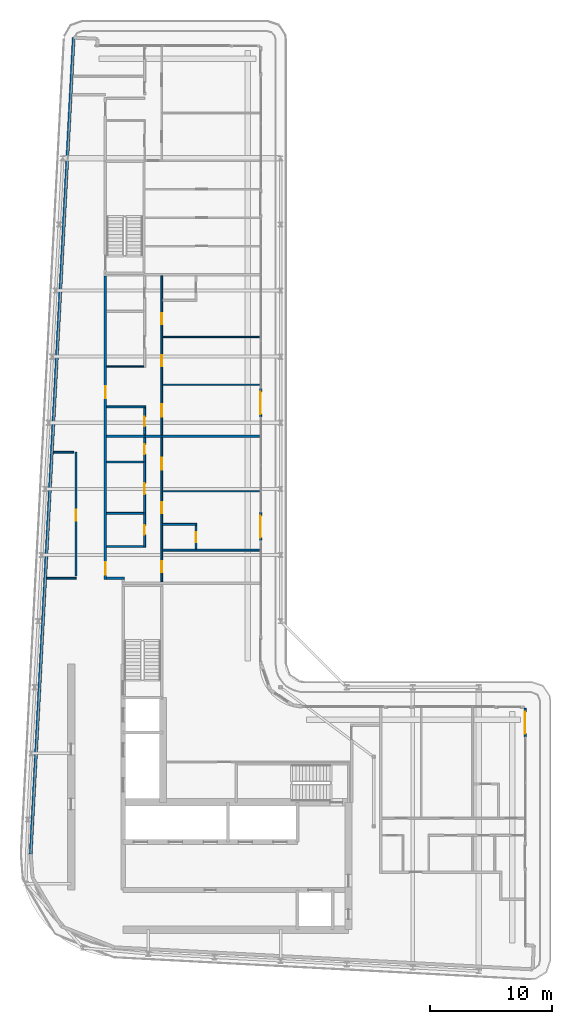
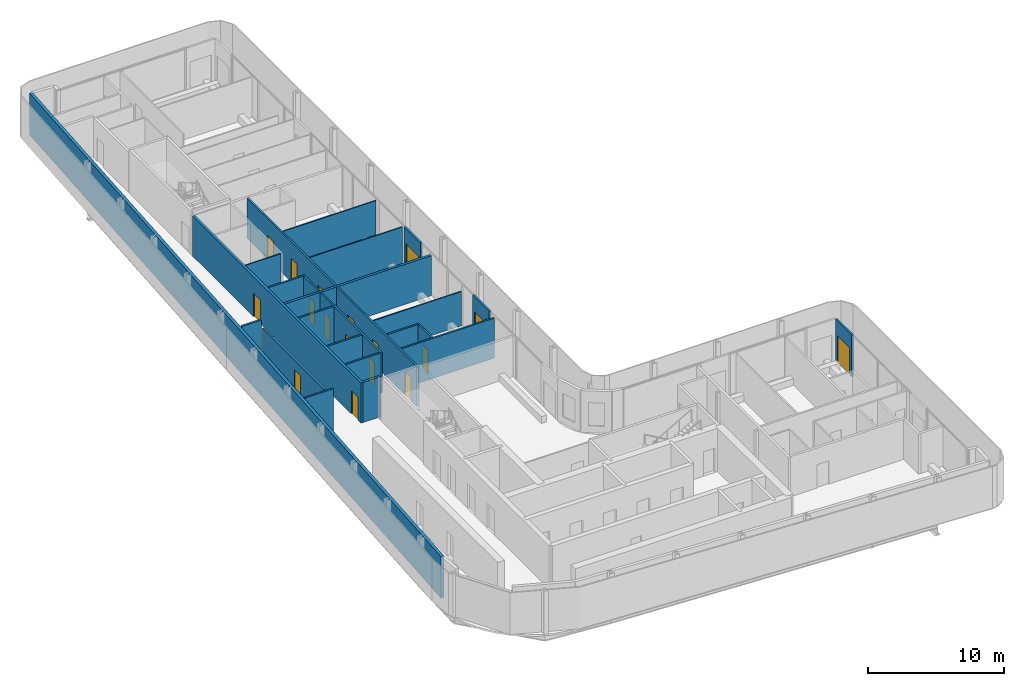
# One storey, part 13 of 21: 25 walls, 17 doors, 17 openings.
"""IFC4 building model written with IfcOpenShell, lengths in metres."""

from ifc_helpers import new_model, si_unit, direction, frame, frame_2d, origin, place, context, subcontext, project, spatial, rectangle, extrude, source, transform, mapped, material, layer, layer_set, type_object, element, fill, save


model = new_model("IFC4")

# Units and contexts
model_context = context("Model", 3, precision=1e-05, world=origin(), true_north=direction((0.0, 1.0)))
body_context = subcontext(model_context, "Body", "Model", "MODEL_VIEW")
ifc_project = project(units=[si_unit("LENGTHUNIT", "METRE"), si_unit("AREAUNIT", "SQUARE_METRE"), si_unit("VOLUMEUNIT", "CUBIC_METRE"), si_unit("PLANEANGLEUNIT", "RADIAN"), si_unit("MASSUNIT", "GRAM", prefix="KILO")], contexts=[model_context])

# Site, building, storey
site_placement = place(None, origin())
site = spatial("IfcSite", under=ifc_project, at=site_placement, CompositionType="ELEMENT")
building_placement = place(site_placement, origin())
building = spatial("IfcBuilding", under=site, at=building_placement, Name="Kheshtan School and Residences Tower", CompositionType="ELEMENT")
storey_placement = place(building_placement, frame((0.0, 0.0, 302.0)))
storey = spatial("IfcBuildingStorey", under=building, at=storey_placement, Name="L71", CompositionType="ELEMENT", Elevation=302.0)

# Wall, openings, doors
ifc_material_1 = material(Name="Gypsum board on steel studs with fire boards", Category="steel")
ifc_layer_1 = layer(ifc_material_1, 0.199951171875)
ifc_layer_set_1 = layer_set([ifc_layer_1], Name="Corridor wall 200")
wall_type_1 = type_object("IfcWallType", Name="Corridor wall 200", PredefinedType="PARTITIONING", material=ifc_layer_set_1)
wall_1_placement = place(storey_placement, frame((33.300048828125, 54.39990234375, 0.0), z_axis=(0.0, 0.0, 1.0), x_axis=(0.0, 1.0, 0.0)))
wall_1 = element("IfcWall", 1, at=wall_1_placement, inside=storey, type_object=wall_type_1, Name="Partition L71-004", PredefinedType="PARTITIONING", context=body_context, shape_type="SweptSolid", body=[
    extrude(rectangle(XDim=24.800048828125, YDim=0.199951171875, at=frame_2d((12.39990234375, 0.0))), origin(), (0.0, 0.0, 1.0), 3.60009765625),
])
opening_1_placement = place(wall_1_placement, frame((0.39990234375, 0.0, 0.0)))
opening_1 = element("IfcOpeningElement", 2, at=opening_1_placement, cuts=wall_1, Name="Opening D70-013", PredefinedType="OPENING", context=body_context, shape_type="SweptSolid", body=[
    extrude(rectangle(XDim=1.0, YDim=2.10009765625, at=frame_2d((0.5, 1.050048828125))), frame((0.0, 0.10986328125, 0.0), z_axis=(0.0, -1.0, 0.0), x_axis=(1.0, 0.0, 0.0)), (0.0, 0.0, 1.0), 0.219970703125),
])
opening_2_placement = place(wall_1_placement, frame((14.800048828125, 0.0, 0.0)))
opening_2 = element("IfcOpeningElement", 3, at=opening_2_placement, cuts=wall_1, Name="Opening D70-021", PredefinedType="OPENING", context=body_context, shape_type="SweptSolid", body=[
    extrude(rectangle(XDim=1.0, YDim=2.10009765625, at=frame_2d((0.5, 1.050048828125))), frame((0.0, 0.10986328125, 0.0), z_axis=(0.0, -1.0, 0.0), x_axis=(1.0, 0.0, 0.0)), (0.0, 0.0, 1.0), 0.219970703125),
])
ifc_material_2 = material(Name="Steel-framed fire-resisting door leaf", Category="steel")
door_type_1 = type_object("IfcDoorType", Name="Fire door FD30S 1000 x 2100", OperationType="SINGLE_SWING_LEFT", PredefinedType="DOOR", material=ifc_material_2)
shared_shape_1 = source(origin(), body_context, "Body", "SweptSolid", [
    extrude(rectangle(XDim=1.0, YDim=2.10009765625, at=frame_2d((0.5, 1.050048828125))), frame((0.0, 0.02490234375, 0.0), z_axis=(0.0, -1.0, 0.0), x_axis=(1.0, 0.0, 0.0)), (0.0, 0.0, 1.0), 0.050048828125),
])
door_1_placement = place(opening_1_placement, origin())
door_1 = element("IfcDoor", 4, at=door_1_placement, inside=storey, type_object=door_type_1, Name="Door D70-013", OperationType="SINGLE_SWING_RIGHT", OverallHeight=2.10009765625, OverallWidth=1.0, PredefinedType="DOOR", context=body_context, shape_type="MappedRepresentation", body=[
    mapped(shared_shape_1, transform((0.0, 0.0, 0.0), x_axis=(1.0, 0.0, 0.0), y_axis=(0.0, 1.0, 0.0), z_axis=(0.0, 0.0, 1.0), scale=1.0)),
])
fill(opening_1, door_1)
door_2_placement = place(opening_2_placement, origin())
door_2 = element("IfcDoor", 5, at=door_2_placement, inside=storey, type_object=door_type_1, Name="Door D70-021", OperationType="SINGLE_SWING_RIGHT", OverallHeight=2.10009765625, OverallWidth=1.0, PredefinedType="DOOR", context=body_context, shape_type="MappedRepresentation", body=[
    mapped(shared_shape_1, transform((0.0, 0.0, 0.0), x_axis=(1.0, 0.0, 0.0), y_axis=(0.0, 1.0, 0.0), z_axis=(0.0, 0.0, 1.0), scale=1.0)),
])
fill(opening_2, door_2)

# Walls
wall_2_placement = place(storey_placement, frame((33.39990234375, 54.5, 0.0), z_axis=(0.0, 0.0, 1.0), x_axis=(1.0, 0.0, 0.0)))
element("IfcWall", 6, at=wall_2_placement, inside=storey, type_object=wall_type_1, Name="Partition L71-006", PredefinedType="PARTITIONING", context=body_context, shape_type="SweptSolid", body=[
    extrude(rectangle(XDim=1.4501953125, YDim=0.199951171875, at=frame_2d((0.72509765625, 0.0))), origin(), (0.0, 0.0, 1.0), 3.60009765625),
])
ifc_material_3 = material(Name="Concrete C40/50 with ceramic cladding and mineral wool insulation", Category="concrete")
ifc_layer_2 = layer(ifc_material_3, 0.25)
ifc_layer_set_2 = layer_set([ifc_layer_2], Name="External wall 250 ceramic clad")
wall_type_2 = type_object("IfcWallType", Name="External wall 250 ceramic clad", PredefinedType="SOLIDWALL", material=ifc_layer_set_2)
wall_3_placement = place(storey_placement, frame((27.195068359375, 31.968994140625, 0.0), z_axis=(0.0, 0.0, 1.0), x_axis=(0.052554995867, 0.998618031286, 0.0)))
element("IfcWall", 7, at=wall_3_placement, inside=storey, type_object=wall_type_2, Name="External wall L71 4", PredefinedType="SOLIDWALL", context=body_context, shape_type="SweptSolid", body=[
    extrude(rectangle(XDim=66.787353515625, YDim=0.25, at=frame_2d((33.3935546875, 0.0))), origin(), (0.0, 0.0, 1.0), 3.75),
])

# Wall, opening, door
ifc_material_4 = material(Name="Aluminium frame wall with insulated infill", Category="aluminium")
ifc_layer_3 = layer(ifc_material_4, 0.14990234375)
ifc_layer_set_3 = layer_set([ifc_layer_3], Name="Glazing frame wall 150")
wall_type_3 = type_object("IfcWallType", Name="Glazing frame wall 150", PredefinedType="SOLIDWALL", material=ifc_layer_set_3)
wall_4_placement = place(storey_placement, frame((45.97509765625, 70.01806640625, 0.0), z_axis=(0.0, 0.0, 1.0), x_axis=(0.0, -1.0, 0.0)))
wall_4 = element("IfcWall", 8, at=wall_4_placement, inside=storey, type_object=wall_type_3, Name="Balcony door wall L71 8.3", PredefinedType="SOLIDWALL", context=body_context, shape_type="SweptSolid", body=[
    extrude(rectangle(XDim=2.400146484375, YDim=0.14990234375, at=frame_2d((1.2001953125, 0.0))), origin(), (0.0, 0.0, 1.0), 3.75),
])
opening_3_placement = place(wall_4_placement, frame((0.300048828125, 0.0, 0.0)))
opening_3 = element("IfcOpeningElement", 9, at=opening_3_placement, cuts=wall_4, Name="Opening BD", PredefinedType="OPENING", context=body_context, shape_type="SweptSolid", body=[
    extrude(rectangle(XDim=1.800048828125, YDim=2.39990234375, at=frame_2d((0.89990234375, 1.199951171875))), frame((0.0, 0.0849609375, 0.0), z_axis=(0.0, -1.0, 0.0), x_axis=(1.0, 0.0, 0.0)), (0.0, 0.0, 1.0), 0.169921875),
])
ifc_material_5 = material(Name="Clear low-e glass in thermally broken aluminium frame", Category="aluminium")
door_type_2 = type_object("IfcDoorType", Name="Balcony sliding door", OperationType="SLIDING_TO_LEFT", PredefinedType="DOOR", material=ifc_material_5)
shared_shape_2 = source(origin(), body_context, "Body", "SweptSolid", [
    extrude(rectangle(XDim=1.800048828125, YDim=2.39990234375, at=frame_2d((0.89990234375, 1.199951171875))), frame((0.0, 0.02490234375, 0.0), z_axis=(0.0, -1.0, 0.0), x_axis=(1.0, 0.0, 0.0)), (0.0, 0.0, 1.0), 0.050048828125),
])
door_3_placement = place(opening_3_placement, origin())
door_3 = element("IfcDoor", 10, at=door_3_placement, inside=storey, type_object=door_type_2, Name="Balcony door L71 8.3", OperationType="SLIDING_TO_LEFT", OverallHeight=2.39990234375, OverallWidth=1.800048828125, PredefinedType="DOOR", context=body_context, shape_type="MappedRepresentation", body=[
    mapped(shared_shape_2, transform((0.0, 0.0, 0.0), x_axis=(1.0, 0.0, 0.0), y_axis=(0.0, 1.0, 0.0), z_axis=(0.0, 0.0, 1.0), scale=1.0)),
])
fill(opening_3, door_3)

wall_5_placement = place(storey_placement, frame((45.97509765625, 59.924072265625, 0.0), z_axis=(0.0, 0.0, 1.0), x_axis=(0.0, -1.0, 0.0)))
wall_5 = element("IfcWall", 11, at=wall_5_placement, inside=storey, type_object=wall_type_3, Name="Balcony door wall L71 8.4", PredefinedType="SOLIDWALL", context=body_context, shape_type="SweptSolid", body=[
    extrude(rectangle(XDim=2.400146484375, YDim=0.14990234375, at=frame_2d((1.2001953125, 0.0))), origin(), (0.0, 0.0, 1.0), 3.75),
])
opening_4_placement = place(wall_5_placement, frame((0.300048828125, 0.0, 0.0)))
opening_4 = element("IfcOpeningElement", 12, at=opening_4_placement, cuts=wall_5, Name="Opening BD", PredefinedType="OPENING", context=body_context, shape_type="SweptSolid", body=[
    extrude(rectangle(XDim=1.800048828125, YDim=2.39990234375, at=frame_2d((0.89990234375, 1.199951171875))), frame((0.0, 0.0849609375, 0.0), z_axis=(0.0, -1.0, 0.0), x_axis=(1.0, 0.0, 0.0)), (0.0, 0.0, 1.0), 0.169921875),
])
door_4_placement = place(opening_4_placement, origin())
door_4 = element("IfcDoor", 13, at=door_4_placement, inside=storey, type_object=door_type_2, Name="Balcony door L71 8.4", OperationType="SLIDING_TO_LEFT", OverallHeight=2.39990234375, OverallWidth=1.800048828125, PredefinedType="DOOR", context=body_context, shape_type="MappedRepresentation", body=[
    mapped(shared_shape_2, transform((0.0, 0.0, 0.0), x_axis=(1.0, 0.0, 0.0), y_axis=(0.0, 1.0, 0.0), z_axis=(0.0, 0.0, 1.0), scale=1.0)),
])
fill(opening_4, door_4)

wall_6_placement = place(storey_placement, frame((67.574951171875, 43.89990234375, 0.0), z_axis=(0.0, 0.0, 1.0), x_axis=(0.0, -1.0, 0.0)))
wall_6 = element("IfcWall", 14, at=wall_6_placement, inside=storey, type_object=wall_type_3, Name="Balcony door wall L71 13.1", PredefinedType="SOLIDWALL", context=body_context, shape_type="SweptSolid", body=[
    extrude(rectangle(XDim=2.39990234375, YDim=0.14990234375, at=frame_2d((1.199951171875, 0.0))), origin(), (0.0, 0.0, 1.0), 3.75),
])
opening_5_placement = place(wall_6_placement, frame((0.300048828125, 0.0, 0.0)))
opening_5 = element("IfcOpeningElement", 15, at=opening_5_placement, cuts=wall_6, Name="Opening BD", PredefinedType="OPENING", context=body_context, shape_type="SweptSolid", body=[
    extrude(rectangle(XDim=1.800048828125, YDim=2.39990234375, at=frame_2d((0.89990234375, 1.199951171875))), frame((0.0, 0.0849609375, 0.0), z_axis=(0.0, -1.0, 0.0), x_axis=(1.0, 0.0, 0.0)), (0.0, 0.0, 1.0), 0.169921875),
])
door_5_placement = place(opening_5_placement, origin())
door_5 = element("IfcDoor", 16, at=door_5_placement, inside=storey, type_object=door_type_2, Name="Balcony door L71 13.1", OperationType="SLIDING_TO_LEFT", OverallHeight=2.39990234375, OverallWidth=1.800048828125, PredefinedType="DOOR", context=body_context, shape_type="MappedRepresentation", body=[
    mapped(shared_shape_2, transform((0.0, 0.0, 0.0), x_axis=(1.0, 0.0, 0.0), y_axis=(0.0, 1.0, 0.0), z_axis=(0.0, 0.0, 1.0), scale=1.0)),
])
fill(opening_5, door_5)

# Walls
ifc_material_6 = material(Name="Gypsum board on steel studs", Category="steel")
ifc_layer_4 = layer(ifc_material_6, 0.10009765625)
ifc_layer_set_4 = layer_set([ifc_layer_4], Name="Gypsum partition 100")
wall_type_4 = type_object("IfcWallType", Name="Gypsum partition 100", PredefinedType="PARTITIONING", material=ifc_layer_set_4)
wall_7_placement = place(storey_placement, frame((33.39990234375, 71.800048828125, 0.0), z_axis=(0.0, 0.0, 1.0), x_axis=(1.0, 0.0, 0.0)))
element("IfcWall", 17, at=wall_7_placement, inside=storey, type_object=wall_type_4, Name="Partition L71-012", PredefinedType="PARTITIONING", context=body_context, shape_type="SweptSolid", body=[
    extrude(rectangle(XDim=3.025146484375, YDim=0.10009765625, at=frame_2d((1.5126953125, 0.0))), origin(), (0.0, 0.0, 1.0), 3.60009765625),
])
wall_8_placement = place(storey_placement, frame((37.97509765625, 61.60009765625, 0.0), z_axis=(0.0, 0.0, 1.0), x_axis=(1.0, 0.0, 0.0)))
element("IfcWall", 18, at=wall_8_placement, inside=storey, type_object=wall_type_4, Name="Partition L71-033", PredefinedType="PARTITIONING", context=body_context, shape_type="SweptSolid", body=[
    extrude(rectangle(XDim=7.9248046875, YDim=0.10009765625, at=frame_2d((3.96240234375, 0.0))), origin(), (0.0, 0.0, 1.0), 3.072021484375),
])
for number, where, z_axis, x_axis, name in (
    (19, (37.97509765625, 70.300048828125, 0.0), (0.0, 0.0, 1.0), (1.0, 0.0, 0.0), "Partition L71-034"),
    (20, (37.97509765625, 74.199951171875, 0.0), (0.0, 0.0, 1.0), (1.0, 0.0, 0.0), "Partition L71-035"),
):
    element("IfcWall", number, at=place(storey_placement, frame(where, z_axis=z_axis, x_axis=x_axis)), inside=storey, type_object=wall_type_4, Name=name, PredefinedType="PARTITIONING", context=body_context, shape_type="SweptSolid", body=[
        extrude(rectangle(XDim=7.9248046875, YDim=0.10009765625, at=frame_2d((3.96240234375, 0.0))), origin(), (0.0, 0.0, 1.0), 3.60009765625),
    ])
ifc_material_7 = material(Name="Fire-board shaft wall system")
ifc_layer_5 = layer(ifc_material_7, 0.14990234375)
ifc_layer_set_5 = layer_set([ifc_layer_5], Name="Service room wall 150")
wall_type_5 = type_object("IfcWallType", Name="Service room wall 150", PredefinedType="PARTITIONING", material=ifc_layer_set_5)
wall_9_placement = place(storey_placement, frame((28.508056640625, 54.5, 0.0), z_axis=(0.0, 0.0, 1.0), x_axis=(1.0, 0.0, 0.0)))
element("IfcWall", 21, at=wall_9_placement, inside=storey, type_object=wall_type_5, Name="Service room wall", PredefinedType="PARTITIONING", context=body_context, shape_type="SweptSolid", body=[
    extrude(rectangle(XDim=2.391845703125, YDim=0.14990234375, at=frame_2d((1.19580078125, 0.0))), origin(), (0.0, 0.0, 1.0), 3.89990234375),
])

# Wall, opening, door
wall_10_placement = place(storey_placement, frame((30.89990234375, 54.695068359375, 0.0), z_axis=(0.0, 0.0, 1.0), x_axis=(0.0, 1.0, 0.0)))
wall_10 = element("IfcWall", 22, at=wall_10_placement, inside=storey, type_object=wall_type_5, Name="Service room wall", PredefinedType="PARTITIONING", context=body_context, shape_type="SweptSolid", body=[
    extrude(rectangle(XDim=10.10498046875, YDim=0.14990234375, at=frame_2d((5.052490234375, 0.0))), origin(), (0.0, 0.0, 1.0), 3.072021484375),
])
opening_6_placement = place(wall_10_placement, frame((4.5048828125, 0.0, 0.0)))
opening_6 = element("IfcOpeningElement", 23, at=opening_6_placement, cuts=wall_10, Name="Opening SR90", PredefinedType="OPENING", context=body_context, shape_type="SweptSolid", body=[
    extrude(rectangle(XDim=0.89990234375, YDim=2.199951171875, at=frame_2d((0.449951171875, 1.10009765625))), frame((0.0, 0.0849609375, 0.0), z_axis=(0.0, -1.0, 0.0), x_axis=(1.0, 0.0, 0.0)), (0.0, 0.0, 1.0), 0.169921875),
])
ifc_material_8 = material(Name="Steel door leaf, galvanised", Category="steel")
door_type_3 = type_object("IfcDoorType", Name="Service room door 900 steel 90 min", OperationType="SINGLE_SWING_LEFT", PredefinedType="DOOR", material=ifc_material_8)
shared_shape_3 = source(origin(), body_context, "Body", "SweptSolid", [
    extrude(rectangle(XDim=0.89990234375, YDim=2.199951171875, at=frame_2d((0.449951171875, 1.10009765625))), frame((0.0, 0.02490234375, 0.0), z_axis=(0.0, -1.0, 0.0), x_axis=(1.0, 0.0, 0.0)), (0.0, 0.0, 1.0), 0.050048828125),
])
door_6_placement = place(opening_6_placement, origin())
door_6 = element("IfcDoor", 24, at=door_6_placement, inside=storey, type_object=door_type_3, Name="Service room door", OperationType="SINGLE_SWING_LEFT", OverallHeight=2.199951171875, OverallWidth=0.89990234375, PredefinedType="DOOR", context=body_context, shape_type="MappedRepresentation", body=[
    mapped(shared_shape_3, transform((0.0, 0.0, 0.0), x_axis=(1.0, 0.0, 0.0), y_axis=(0.0, 1.0, 0.0), z_axis=(0.0, 0.0, 1.0), scale=1.0)),
])
fill(opening_6, door_6)

# Walls
wall_11_placement = place(storey_placement, frame((29.050048828125, 64.800048828125, 0.0), z_axis=(0.0, 0.0, 1.0), x_axis=(1.0, 0.0, 0.0)))
element("IfcWall", 25, at=wall_11_placement, inside=storey, type_object=wall_type_5, Name="Service room wall", PredefinedType="PARTITIONING", context=body_context, shape_type="SweptSolid", body=[
    extrude(rectangle(XDim=1.655029296875, YDim=0.14990234375, at=frame_2d((0.82763671875, 0.0))), origin(), (0.0, 0.0, 1.0), 3.89990234375),
])
ifc_material_9 = material(Name="Twin gypsum board on steel studs with mineral wool", Category="steel")
ifc_layer_6 = layer(ifc_material_9, 0.199951171875)
ifc_layer_set_6 = layer_set([ifc_layer_6], Name="Unit demising wall 200")
wall_type_6 = type_object("IfcWallType", Name="Unit demising wall 200", PredefinedType="PARTITIONING", material=ifc_layer_set_6)
wall_12_placement = place(storey_placement, frame((33.39990234375, 66.10009765625, 0.0), z_axis=(0.0, 0.0, 1.0), x_axis=(1.0, 0.0, 0.0)))
element("IfcWall", 26, at=wall_12_placement, inside=storey, type_object=wall_type_6, Name="Partition L71-010", PredefinedType="PARTITIONING", context=body_context, shape_type="SweptSolid", body=[
    extrude(rectangle(XDim=12.5, YDim=0.199951171875, at=frame_2d((6.25, 0.0))), origin(), (0.0, 0.0, 1.0), 3.60009765625),
])
ifc_material_10 = material(Name="Moisture-resistant gypsum board on steel studs", Category="steel")
ifc_layer_7 = layer(ifc_material_10, 0.14990234375)
ifc_layer_set_7 = layer_set([ifc_layer_7], Name="Wet-room partition 150")
wall_type_7 = type_object("IfcWallType", Name="Wet-room partition 150", PredefinedType="PARTITIONING", material=ifc_layer_set_7)
for number, where, z_axis, x_axis, name in (
    (27, (33.39990234375, 57.10009765625, 0.0), (0.0, 0.0, 1.0), (1.0, 0.0, 0.0), "Partition L71-007"),
    (28, (33.39990234375, 59.800048828125, 0.0), (0.0, 0.0, 1.0), (1.0, 0.0, 0.0), "Partition L71-008"),
    (29, (33.39990234375, 64.0, 0.0), (0.0, 0.0, 1.0), (1.0, 0.0, 0.0), "Partition L71-009"),
):
    element("IfcWall", number, at=place(storey_placement, frame(where, z_axis=z_axis, x_axis=x_axis)), inside=storey, type_object=wall_type_7, Name=name, PredefinedType="PARTITIONING", context=body_context, shape_type="SweptSolid", body=[
        extrude(rectangle(XDim=3.025146484375, YDim=0.14990234375, at=frame_2d((1.5126953125, 0.0))), origin(), (0.0, 0.0, 1.0), 3.60009765625),
    ])
wall_13_placement = place(storey_placement, frame((33.39990234375, 68.5, 0.0), z_axis=(0.0, 0.0, 1.0), x_axis=(1.0, 0.0, 0.0)))
element("IfcWall", 30, at=wall_13_placement, inside=storey, type_object=wall_type_7, Name="Partition L71-011", PredefinedType="PARTITIONING", context=body_context, shape_type="SweptSolid", body=[
    extrude(rectangle(XDim=3.175048828125, YDim=0.14990234375, at=frame_2d((1.58740234375, 0.0))), origin(), (0.0, 0.0, 1.0), 3.60009765625),
])

# Wall, openings, doors
wall_14_placement = place(storey_placement, frame((36.5, 57.02490234375, 0.0), z_axis=(0.0, 0.0, 1.0), x_axis=(0.0, 1.0, 0.0)))
wall_14 = element("IfcWall", 31, at=wall_14_placement, inside=storey, type_object=wall_type_7, Name="Partition L71-019", PredefinedType="PARTITIONING", context=body_context, shape_type="SweptSolid", body=[
    extrude(rectangle(XDim=8.97509765625, YDim=0.14990234375, at=frame_2d((4.487548828125, 0.0))), origin(), (0.0, 0.0, 1.0), 3.60009765625),
])
opening_7_placement = place(wall_14_placement, frame((1.02490234375, 0.0, 0.0)))
opening_7 = element("IfcOpeningElement", 32, at=opening_7_placement, cuts=wall_14, Name="Opening D70-010", PredefinedType="OPENING", context=body_context, shape_type="SweptSolid", body=[
    extrude(rectangle(XDim=0.800048828125, YDim=2.10009765625, at=frame_2d((0.39990234375, 1.050048828125))), frame((0.0, 0.0849609375, 0.0), z_axis=(0.0, -1.0, 0.0), x_axis=(1.0, 0.0, 0.0)), (0.0, 0.0, 1.0), 0.169921875),
])
opening_8_placement = place(wall_14_placement, frame((4.324951171875, 0.0, 0.0)))
opening_8 = element("IfcOpeningElement", 33, at=opening_8_placement, cuts=wall_14, Name="Opening D70-014", PredefinedType="OPENING", context=body_context, shape_type="SweptSolid", body=[
    extrude(rectangle(XDim=0.89990234375, YDim=2.10009765625, at=frame_2d((0.449951171875, 1.050048828125))), frame((0.0, 0.0849609375, 0.0), z_axis=(0.0, -1.0, 0.0), x_axis=(1.0, 0.0, 0.0)), (0.0, 0.0, 1.0), 0.169921875),
])
opening_9_placement = place(wall_14_placement, frame((7.625, 0.0, 0.0)))
opening_9 = element("IfcOpeningElement", 34, at=opening_9_placement, cuts=wall_14, Name="Opening D70-017", PredefinedType="OPENING", context=body_context, shape_type="SweptSolid", body=[
    extrude(rectangle(XDim=0.800048828125, YDim=2.10009765625, at=frame_2d((0.39990234375, 1.050048828125))), frame((0.0, 0.0849609375, 0.0), z_axis=(0.0, -1.0, 0.0), x_axis=(1.0, 0.0, 0.0)), (0.0, 0.0, 1.0), 0.169921875),
])
ifc_material_11 = material(Name="Veneered timber door leaf", Category="wood")
door_type_4 = type_object("IfcDoorType", Name="Door 800 x 2100", OperationType="SINGLE_SWING_LEFT", PredefinedType="DOOR", material=ifc_material_11)
shared_shape_4 = source(origin(), body_context, "Body", "SweptSolid", [
    extrude(rectangle(XDim=0.800048828125, YDim=2.10009765625, at=frame_2d((0.39990234375, 1.050048828125))), frame((0.0, 0.02490234375, 0.0), z_axis=(0.0, -1.0, 0.0), x_axis=(1.0, 0.0, 0.0)), (0.0, 0.0, 1.0), 0.050048828125),
])
door_7_placement = place(opening_7_placement, origin())
door_7 = element("IfcDoor", 35, at=door_7_placement, inside=storey, type_object=door_type_4, Name="Door D70-010", OperationType="SINGLE_SWING_RIGHT", OverallHeight=2.10009765625, OverallWidth=0.800048828125, PredefinedType="DOOR", context=body_context, shape_type="MappedRepresentation", body=[
    mapped(shared_shape_4, transform((0.0, 0.0, 0.0), x_axis=(1.0, 0.0, 0.0), y_axis=(0.0, 1.0, 0.0), z_axis=(0.0, 0.0, 1.0), scale=1.0)),
])
fill(opening_7, door_7)
door_8_placement = place(opening_9_placement, origin())
door_8 = element("IfcDoor", 36, at=door_8_placement, inside=storey, type_object=door_type_4, Name="Door D70-017", OperationType="SINGLE_SWING_RIGHT", OverallHeight=2.10009765625, OverallWidth=0.800048828125, PredefinedType="DOOR", context=body_context, shape_type="MappedRepresentation", body=[
    mapped(shared_shape_4, transform((0.0, 0.0, 0.0), x_axis=(1.0, 0.0, 0.0), y_axis=(0.0, 1.0, 0.0), z_axis=(0.0, 0.0, 1.0), scale=1.0)),
])
fill(opening_9, door_8)
door_type_5 = type_object("IfcDoorType", Name="Door 900 x 2100", OperationType="SINGLE_SWING_LEFT", PredefinedType="DOOR", material=ifc_material_11)
shared_shape_5 = source(origin(), body_context, "Body", "SweptSolid", [
    extrude(rectangle(XDim=0.89990234375, YDim=2.10009765625, at=frame_2d((0.449951171875, 1.050048828125))), frame((0.0, 0.02490234375, 0.0), z_axis=(0.0, -1.0, 0.0), x_axis=(1.0, 0.0, 0.0)), (0.0, 0.0, 1.0), 0.050048828125),
])
door_9_placement = place(opening_8_placement, origin())
door_9 = element("IfcDoor", 37, at=door_9_placement, inside=storey, type_object=door_type_5, Name="Door D70-014", OperationType="SINGLE_SWING_LEFT", OverallHeight=2.10009765625, OverallWidth=0.89990234375, PredefinedType="DOOR", context=body_context, shape_type="MappedRepresentation", body=[
    mapped(shared_shape_5, transform((0.0, 0.0, 0.0), x_axis=(1.0, 0.0, 0.0), y_axis=(0.0, 1.0, 0.0), z_axis=(0.0, 0.0, 1.0), scale=1.0)),
])
fill(opening_8, door_9)

# Wall, opening, door
wall_15_placement = place(storey_placement, frame((36.5, 66.199951171875, 0.0), z_axis=(0.0, 0.0, 1.0), x_axis=(0.0, 1.0, 0.0)))
wall_15 = element("IfcWall", 38, at=wall_15_placement, inside=storey, type_object=wall_type_7, Name="Partition L71-020", PredefinedType="PARTITIONING", context=body_context, shape_type="SweptSolid", body=[
    extrude(rectangle(XDim=2.22509765625, YDim=0.14990234375, at=frame_2d((1.112548828125, 0.0))), origin(), (0.0, 0.0, 1.0), 3.60009765625),
])
opening_10_placement = place(wall_15_placement, frame((0.699951171875, 0.0, 0.0)))
opening_10 = element("IfcOpeningElement", 39, at=opening_10_placement, cuts=wall_15, Name="Opening D70-025", PredefinedType="OPENING", context=body_context, shape_type="SweptSolid", body=[
    extrude(rectangle(XDim=0.800048828125, YDim=2.10009765625, at=frame_2d((0.39990234375, 1.050048828125))), frame((0.0, 0.0849609375, 0.0), z_axis=(0.0, -1.0, 0.0), x_axis=(1.0, 0.0, 0.0)), (0.0, 0.0, 1.0), 0.169921875),
])
door_10_placement = place(opening_10_placement, origin())
door_10 = element("IfcDoor", 40, at=door_10_placement, inside=storey, type_object=door_type_4, Name="Door D70-025", OperationType="SINGLE_SWING_LEFT", OverallHeight=2.10009765625, OverallWidth=0.800048828125, PredefinedType="DOOR", context=body_context, shape_type="MappedRepresentation", body=[
    mapped(shared_shape_4, transform((0.0, 0.0, 0.0), x_axis=(1.0, 0.0, 0.0), y_axis=(0.0, 1.0, 0.0), z_axis=(0.0, 0.0, 1.0), scale=1.0)),
])
fill(opening_10, door_10)

# Wall, openings, doors
wall_16_placement = place(storey_placement, frame((37.89990234375, 54.199951171875, 0.0), z_axis=(0.0, 0.0, 1.0), x_axis=(0.0, 1.0, 0.0)))
wall_16 = element("IfcWall", 41, at=wall_16_placement, inside=storey, type_object=wall_type_7, Name="Partition L71-027", PredefinedType="PARTITIONING", context=body_context, shape_type="SweptSolid", body=[
    extrude(rectangle(XDim=11.800048828125, YDim=0.14990234375, at=frame_2d((5.89990234375, 0.0))), origin(), (0.0, 0.0, 1.0), 3.60009765625),
])
opening_11_placement = place(wall_16_placement, frame((0.800048828125, 0.0, 0.0)))
opening_11 = element("IfcOpeningElement", 42, at=opening_11_placement, cuts=wall_16, Name="Opening D70-011", PredefinedType="OPENING", context=body_context, shape_type="SweptSolid", body=[
    extrude(rectangle(XDim=0.89990234375, YDim=2.10009765625, at=frame_2d((0.449951171875, 1.050048828125))), frame((0.0, 0.0849609375, 0.0), z_axis=(0.0, -1.0, 0.0), x_axis=(1.0, 0.0, 0.0)), (0.0, 0.0, 1.0), 0.169921875),
])
opening_12_placement = place(wall_16_placement, frame((9.14990234375, 0.0, 0.0)))
opening_12 = element("IfcOpeningElement", 43, at=opening_12_placement, cuts=wall_16, Name="Opening D70-015", PredefinedType="OPENING", context=body_context, shape_type="SweptSolid", body=[
    extrude(rectangle(XDim=1.0, YDim=2.10009765625, at=frame_2d((0.5, 1.050048828125))), frame((0.0, 0.0849609375, 0.0), z_axis=(0.0, -1.0, 0.0), x_axis=(1.0, 0.0, 0.0)), (0.0, 0.0, 1.0), 0.169921875),
])
opening_13_placement = place(wall_16_placement, frame((5.60009765625, 0.0, 0.0)))
opening_13 = element("IfcOpeningElement", 44, at=opening_13_placement, cuts=wall_16, Name="Opening D70-016", PredefinedType="OPENING", context=body_context, shape_type="SweptSolid", body=[
    extrude(rectangle(XDim=0.89990234375, YDim=2.10009765625, at=frame_2d((0.449951171875, 1.050048828125))), frame((0.0, 0.0849609375, 0.0), z_axis=(0.0, -1.0, 0.0), x_axis=(1.0, 0.0, 0.0)), (0.0, 0.0, 1.0), 0.169921875),
])
door_type_6 = type_object("IfcDoorType", Name="Door 1000 x 2100", OperationType="SINGLE_SWING_LEFT", PredefinedType="DOOR", material=ifc_material_11)
shared_shape_6 = source(origin(), body_context, "Body", "SweptSolid", [
    extrude(rectangle(XDim=1.0, YDim=2.10009765625, at=frame_2d((0.5, 1.050048828125))), frame((0.0, 0.02490234375, 0.0), z_axis=(0.0, -1.0, 0.0), x_axis=(1.0, 0.0, 0.0)), (0.0, 0.0, 1.0), 0.050048828125),
])
door_11_placement = place(opening_12_placement, origin())
door_11 = element("IfcDoor", 45, at=door_11_placement, inside=storey, type_object=door_type_6, Name="Door D70-015", OperationType="SINGLE_SWING_RIGHT", OverallHeight=2.10009765625, OverallWidth=1.0, PredefinedType="DOOR", context=body_context, shape_type="MappedRepresentation", body=[
    mapped(shared_shape_6, transform((0.0, 0.0, 0.0), x_axis=(1.0, 0.0, 0.0), y_axis=(0.0, 1.0, 0.0), z_axis=(0.0, 0.0, 1.0), scale=1.0)),
])
fill(opening_12, door_11)
door_12_placement = place(opening_11_placement, origin())
door_12 = element("IfcDoor", 46, at=door_12_placement, inside=storey, type_object=door_type_5, Name="Door D70-011", OperationType="SINGLE_SWING_LEFT", OverallHeight=2.10009765625, OverallWidth=0.89990234375, PredefinedType="DOOR", context=body_context, shape_type="MappedRepresentation", body=[
    mapped(shared_shape_5, transform((0.0, 0.0, 0.0), x_axis=(1.0, 0.0, 0.0), y_axis=(0.0, 1.0, 0.0), z_axis=(0.0, 0.0, 1.0), scale=1.0)),
])
fill(opening_11, door_12)
door_13_placement = place(opening_13_placement, origin())
door_13 = element("IfcDoor", 47, at=door_13_placement, inside=storey, type_object=door_type_5, Name="Door D70-016", OperationType="SINGLE_SWING_RIGHT", OverallHeight=2.10009765625, OverallWidth=0.89990234375, PredefinedType="DOOR", context=body_context, shape_type="MappedRepresentation", body=[
    mapped(shared_shape_5, transform((0.0, 0.0, 0.0), x_axis=(1.0, 0.0, 0.0), y_axis=(0.0, 1.0, 0.0), z_axis=(0.0, 0.0, 1.0), scale=1.0)),
])
fill(opening_13, door_13)

wall_17_placement = place(storey_placement, frame((37.89990234375, 66.199951171875, 0.0), z_axis=(0.0, 0.0, 1.0), x_axis=(0.0, 1.0, 0.0)))
wall_17 = element("IfcWall", 48, at=wall_17_placement, inside=storey, type_object=wall_type_7, Name="Partition L71-028", PredefinedType="PARTITIONING", context=body_context, shape_type="SweptSolid", body=[
    extrude(rectangle(XDim=13.0, YDim=0.14990234375, at=frame_2d((6.5, 0.0))), origin(), (0.0, 0.0, 1.0), 3.60009765625),
])
opening_14_placement = place(wall_17_placement, frame((5.60009765625, 0.0, 0.0)))
opening_14 = element("IfcOpeningElement", 49, at=opening_14_placement, cuts=wall_17, Name="Opening D70-019", PredefinedType="OPENING", context=body_context, shape_type="SweptSolid", body=[
    extrude(rectangle(XDim=0.89990234375, YDim=2.10009765625, at=frame_2d((0.449951171875, 1.050048828125))), frame((0.0, 0.0849609375, 0.0), z_axis=(0.0, -1.0, 0.0), x_axis=(1.0, 0.0, 0.0)), (0.0, 0.0, 1.0), 0.169921875),
])
opening_15_placement = place(wall_17_placement, frame((1.5, 0.0, 0.0)))
opening_15 = element("IfcOpeningElement", 50, at=opening_15_placement, cuts=wall_17, Name="Opening D70-023", PredefinedType="OPENING", context=body_context, shape_type="SweptSolid", body=[
    extrude(rectangle(XDim=1.0, YDim=2.10009765625, at=frame_2d((0.5, 1.050048828125))), frame((0.0, 0.0849609375, 0.0), z_axis=(0.0, -1.0, 0.0), x_axis=(1.0, 0.0, 0.0)), (0.0, 0.0, 1.0), 0.169921875),
])
opening_16_placement = place(wall_17_placement, frame((9.050048828125, 0.0, 0.0)))
opening_16 = element("IfcOpeningElement", 51, at=opening_16_placement, cuts=wall_17, Name="Opening D70-024", PredefinedType="OPENING", context=body_context, shape_type="SweptSolid", body=[
    extrude(rectangle(XDim=0.89990234375, YDim=2.10009765625, at=frame_2d((0.449951171875, 1.050048828125))), frame((0.0, 0.0849609375, 0.0), z_axis=(0.0, -1.0, 0.0), x_axis=(1.0, 0.0, 0.0)), (0.0, 0.0, 1.0), 0.169921875),
])
door_14_placement = place(opening_15_placement, origin())
door_14 = element("IfcDoor", 52, at=door_14_placement, inside=storey, type_object=door_type_6, Name="Door D70-023", OperationType="SINGLE_SWING_LEFT", OverallHeight=2.10009765625, OverallWidth=1.0, PredefinedType="DOOR", context=body_context, shape_type="MappedRepresentation", body=[
    mapped(shared_shape_6, transform((0.0, 0.0, 0.0), x_axis=(1.0, 0.0, 0.0), y_axis=(0.0, 1.0, 0.0), z_axis=(0.0, 0.0, 1.0), scale=1.0)),
])
fill(opening_15, door_14)
door_15_placement = place(opening_14_placement, origin())
door_15 = element("IfcDoor", 53, at=door_15_placement, inside=storey, type_object=door_type_5, Name="Door D70-019", OperationType="SINGLE_SWING_RIGHT", OverallHeight=2.10009765625, OverallWidth=0.89990234375, PredefinedType="DOOR", context=body_context, shape_type="MappedRepresentation", body=[
    mapped(shared_shape_5, transform((0.0, 0.0, 0.0), x_axis=(1.0, 0.0, 0.0), y_axis=(0.0, 1.0, 0.0), z_axis=(0.0, 0.0, 1.0), scale=1.0)),
])
fill(opening_14, door_15)
door_16_placement = place(opening_16_placement, origin())
door_16 = element("IfcDoor", 54, at=door_16_placement, inside=storey, type_object=door_type_5, Name="Door D70-024", OperationType="SINGLE_SWING_RIGHT", OverallHeight=2.10009765625, OverallWidth=0.89990234375, PredefinedType="DOOR", context=body_context, shape_type="MappedRepresentation", body=[
    mapped(shared_shape_5, transform((0.0, 0.0, 0.0), x_axis=(1.0, 0.0, 0.0), y_axis=(0.0, 1.0, 0.0), z_axis=(0.0, 0.0, 1.0), scale=1.0)),
])
fill(opening_16, door_16)

# Walls
wall_18_placement = place(storey_placement, frame((37.97509765625, 56.800048828125, 0.0), z_axis=(0.0, 0.0, 1.0), x_axis=(1.0, 0.0, 0.0)))
element("IfcWall", 55, at=wall_18_placement, inside=storey, type_object=wall_type_7, Name="Partition L71-031", PredefinedType="PARTITIONING", context=body_context, shape_type="SweptSolid", body=[
    extrude(rectangle(XDim=7.9248046875, YDim=0.14990234375, at=frame_2d((3.96240234375, 0.0))), origin(), (0.0, 0.0, 1.0), 3.60009765625),
])
wall_19_placement = place(storey_placement, frame((37.97509765625, 58.89990234375, 0.0), z_axis=(0.0, 0.0, 1.0), x_axis=(1.0, 0.0, 0.0)))
element("IfcWall", 56, at=wall_19_placement, inside=storey, type_object=wall_type_7, Name="Partition L71-032", PredefinedType="PARTITIONING", context=body_context, shape_type="SweptSolid", body=[
    extrude(rectangle(XDim=2.7998046875, YDim=0.14990234375, at=frame_2d((1.39990234375, 0.0))), origin(), (0.0, 0.0, 1.0), 3.60009765625),
])

# Wall, opening, door
wall_20_placement = place(storey_placement, frame((40.699951171875, 56.875, 0.0), z_axis=(0.0, 0.0, 1.0), x_axis=(0.0, 1.0, 0.0)))
wall_20 = element("IfcWall", 57, at=wall_20_placement, inside=storey, type_object=wall_type_7, Name="Partition L71-038", PredefinedType="PARTITIONING", context=body_context, shape_type="SweptSolid", body=[
    extrude(rectangle(XDim=1.949951171875, YDim=0.14990234375, at=frame_2d((0.97509765625, 0.0))), origin(), (0.0, 0.0, 1.0), 3.60009765625),
])
opening_17_placement = place(wall_20_placement, frame((0.574951171875, 0.0, 0.0)))
opening_17 = element("IfcOpeningElement", 58, at=opening_17_placement, cuts=wall_20, Name="Opening D70-012", PredefinedType="OPENING", context=body_context, shape_type="SweptSolid", body=[
    extrude(rectangle(XDim=0.800048828125, YDim=2.10009765625, at=frame_2d((0.39990234375, 1.050048828125))), frame((0.0, 0.0849609375, 0.0), z_axis=(0.0, -1.0, 0.0), x_axis=(1.0, 0.0, 0.0)), (0.0, 0.0, 1.0), 0.169921875),
])
door_17_placement = place(opening_17_placement, origin())
door_17 = element("IfcDoor", 59, at=door_17_placement, inside=storey, type_object=door_type_4, Name="Door D70-012", OperationType="SINGLE_SWING_RIGHT", OverallHeight=2.10009765625, OverallWidth=0.800048828125, PredefinedType="DOOR", context=body_context, shape_type="MappedRepresentation", body=[
    mapped(shared_shape_4, transform((0.0, 0.0, 0.0), x_axis=(1.0, 0.0, 0.0), y_axis=(0.0, 1.0, 0.0), z_axis=(0.0, 0.0, 1.0), scale=1.0)),
])
fill(opening_17, door_17)

save(model, "model.ifc")
